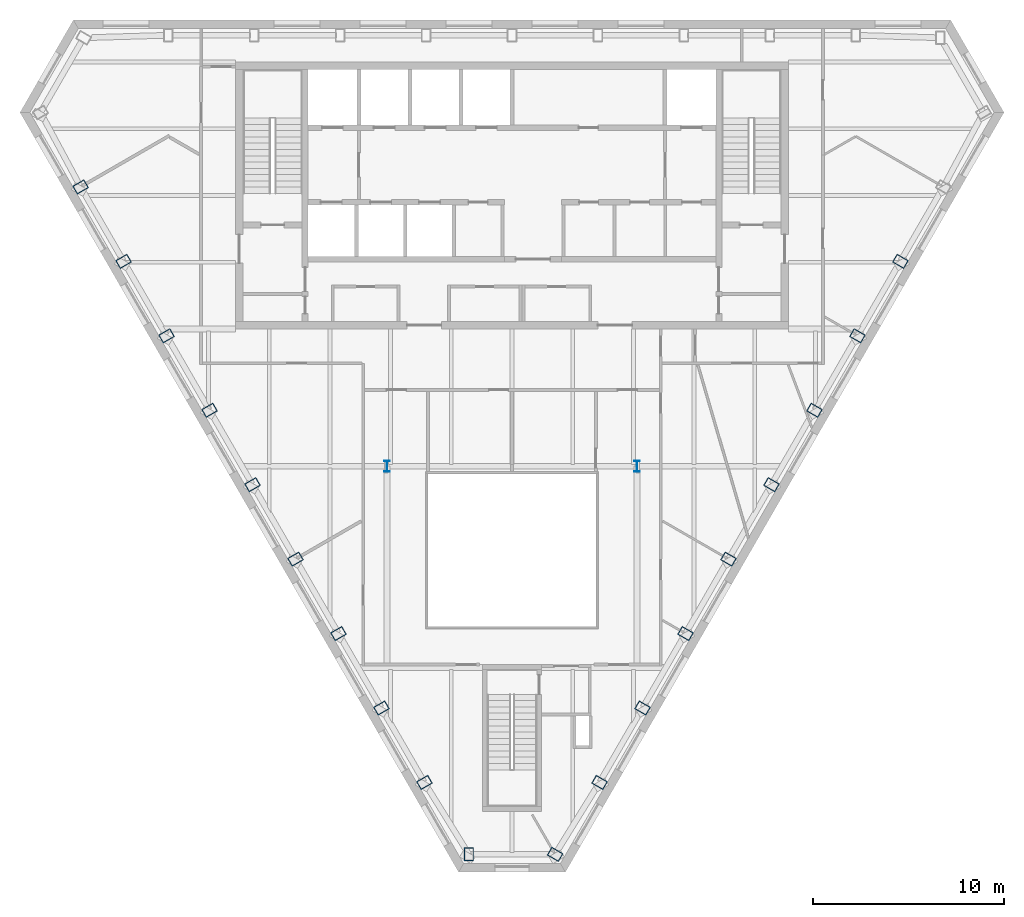
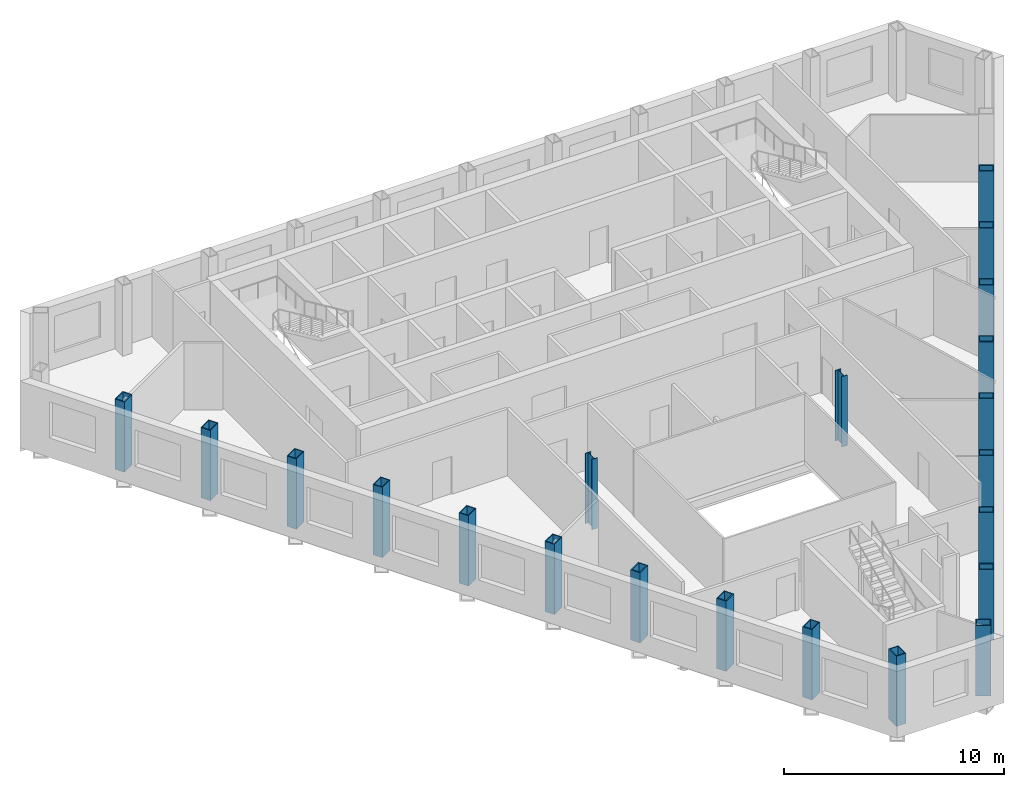
# One storey, part 1 of 10: 21 columns.
"""IFC4 building model written with IfcOpenShell, lengths in metres."""

import ifcopenshell
import ifcopenshell.guid

model = None  # the IFC model being written
_history = None  # IfcOwnerHistory: only IFC2X3 demands one
_inside = {}  # id of a spatial element -> (the spatial element, [elements in it])
_under = {}  # id of a project, library or spatial element -> (it, [spatial elements below it])
_declared = {}  # id of a project -> (the project, [libraries it declares])
_typed = {}  # id of a type object -> (the type object, [elements of that type])
_made_of = {}  # id of a material, layer set ... -> (it, [elements and type objects made of it])


def new_model(schema):
    """Start an empty IFC model of exactly this schema.

    Asked for "IFC4X3", IfcOpenShell would pick the latest addendum, in which some entities
    have other attributes; the version numbers below select the first issue.
    IFC2X3 requires an IfcOwnerHistory on every rooted entity: one is made here for all.
    """
    global model, _history
    if schema == "IFC4X3":
        model = ifcopenshell.file(schema_version=(4, 3, 0, 0))
    else:
        model = ifcopenshell.file(schema=schema)
    _inside.clear()
    _under.clear()
    _declared.clear()
    _typed.clear()
    _made_of.clear()
    _history = None
    if model.schema == "IFC2X3":
        org = make("IfcOrganization", Name="unknown")
        user = make(
            "IfcPersonAndOrganization",
            ThePerson=make("IfcPerson", FamilyName="unknown"),
            TheOrganization=org,
        )
        app = make(
            "IfcApplication",
            ApplicationDeveloper=org,
            Version="unknown",
            ApplicationFullName="unknown",
            ApplicationIdentifier="unknown",
        )
        _history = make(
            "IfcOwnerHistory",
            OwningUser=user,
            OwningApplication=app,
            ChangeAction="ADDED",
            CreationDate=0,
        )
    return model


def make(cls, **values):
    """One entity of the class cls with the attributes given. An attribute that is None is left unset."""
    return model.create_entity(
        cls, **{name: value for name, value in values.items() if value is not None}
    )


def rooted(cls, **values):
    """An entity with a GlobalId (a new one), such as an element, a storey or a relation."""
    return make(cls, GlobalId=ifcopenshell.guid.new(), OwnerHistory=_history, **values)


def si_unit(unit_type, name, prefix=None):
    """IfcSIUnit, for example si_unit("LENGTHUNIT", "METRE", prefix="MILLI")."""
    return make("IfcSIUnit", UnitType=unit_type, Prefix=prefix, Name=name)


def assignment(units):
    """IfcUnitAssignment: the units of a project."""
    return None if units is None else make("IfcUnitAssignment", Units=units)


def point(xyz):
    """IfcCartesianPoint."""
    return None if xyz is None else make("IfcCartesianPoint", Coordinates=xyz)


def direction(xyz):
    """IfcDirection."""
    return None if xyz is None else make("IfcDirection", DirectionRatios=xyz)


def frame(location, z_axis=None, x_axis=None):
    """IfcAxis2Placement3D, a coordinate frame: its origin and axes. An axis left out is left unset."""
    return make(
        "IfcAxis2Placement3D",
        Location=point(location),
        Axis=direction(z_axis),
        RefDirection=direction(x_axis),
    )


def frame_2d(location, x_axis=None):
    """IfcAxis2Placement2D, a coordinate frame in the plane: its origin and x axis."""
    return make(
        "IfcAxis2Placement2D", Location=point(location), RefDirection=direction(x_axis)
    )


def origin():
    """The frame at (0, 0, 0) with its axes left unset."""
    return frame((0.0, 0.0, 0.0))


def origin_2d():
    """The frame at (0, 0) in the plane with its x axis left unset."""
    return frame_2d((0.0, 0.0))


def place(relative_to, where):
    """IfcLocalPlacement: puts the frame where relative to a parent placement (None: the world)."""
    return make(
        "IfcLocalPlacement", PlacementRelTo=relative_to, RelativePlacement=where
    )


def context(
    kind, dimensions, precision=None, world=None, true_north=None, identifier=None
):
    """IfcGeometricRepresentationContext, for example the 3D "Model" context."""
    return make(
        "IfcGeometricRepresentationContext",
        ContextIdentifier=identifier,
        ContextType=kind,
        CoordinateSpaceDimension=dimensions,
        Precision=precision,
        WorldCoordinateSystem=world,
        TrueNorth=true_north,
    )


def subcontext(parent, identifier, kind, view, scale=None):
    """IfcGeometricRepresentationSubContext, for example "Body" below "Model"."""
    return make(
        "IfcGeometricRepresentationSubContext",
        ContextIdentifier=identifier,
        ContextType=kind,
        ParentContext=parent,
        TargetScale=scale,
        TargetView=view,
    )


def project(units=None, contexts=None):
    """IfcProject with its units and contexts."""
    return rooted(
        "IfcProject",
        Name="project",
        RepresentationContexts=contexts,
        UnitsInContext=assignment(units),
    )


def spatial(cls, under=None, at=None, **own):
    """A site, building, storey or space (cls), placed at a placement, below another one or the project."""
    s = rooted(cls, ObjectPlacement=at, **own)
    if under is not None:
        _under.setdefault(under.id(), (under, []))[1].append(s)
    return s


def profile(cls, at=None, kind="AREA", **sizes):
    """A parametric profile (cls). Its sizes go by their IFC names, for example OverallWidth=200.0."""
    return make(cls, ProfileType=kind, Position=at, **sizes)


def hollow_rectangle(**sizes):
    """IfcRectangleHollowProfileDef."""
    return profile("IfcRectangleHollowProfileDef", **sizes)


def i_section(**sizes):
    """IfcIShapeProfileDef."""
    return profile("IfcIShapeProfileDef", **sizes)


def extrude(swept, where, along, depth):
    """IfcExtrudedAreaSolid: the profile swept, set in the frame where, extruded along a direction by depth."""
    return make(
        "IfcExtrudedAreaSolid",
        SweptArea=swept,
        Position=where,
        ExtrudedDirection=direction(along),
        Depth=depth,
    )


def shape(context_of_items, identifier, shape_type, items):
    """IfcShapeRepresentation: the items that make up one representation, for example the "Body"."""
    return make(
        "IfcShapeRepresentation",
        ContextOfItems=context_of_items,
        RepresentationIdentifier=identifier,
        RepresentationType=shape_type,
        Items=items,
    )


def material(Name=None, Category=None):
    """IfcMaterial."""
    return make("IfcMaterial", Name=Name, Category=Category)


def material_profile(
    of_material, cross_section, Name=None, Category=None, Priority=None
):
    """IfcMaterialProfile: a cross section and its material."""
    return make(
        "IfcMaterialProfile",
        Name=Name,
        Material=of_material,
        Profile=cross_section,
        Priority=Priority,
        Category=Category,
    )


def profile_set(profiles, Name=None, composite=None):
    """IfcMaterialProfileSet."""
    return make(
        "IfcMaterialProfileSet",
        Name=Name,
        MaterialProfiles=profiles,
        CompositeProfile=composite,
    )


def made_of(thing, what):
    """Note that an element or type object is made of a material, layer set ...; save() writes the relation."""
    if what is not None:
        _made_of.setdefault(what.id(), (what, []))[1].append(thing)
    return thing


def type_object(cls, material=None, **own):
    """A type object (cls), such as IfcWallType, which elements share."""
    return made_of(rooted(cls, **own), material)


def element(
    cls,
    number,
    at=None,
    inside=None,
    cuts=None,
    type_object=None,
    material=None,
    context=None,
    identifier="Body",
    shape_type=None,
    held_by="IfcProductDefinitionShape",
    body=None,
    shapes=None,
    **own,
):
    """One element of the class cls, such as IfcWall. Its Tag is "e" and its number.

    at: its placement. inside: the storey or other place that contains it. cuts: it is an
    opening in that element (IfcRelVoidsElement). A single representation is given by context,
    identifier, shape_type and body (its items); several are given by shapes. held_by: the class
    of the entity that holds the representations. save() writes the other relations.
    """
    e = rooted(cls, Tag="e%d" % number, ObjectPlacement=at, **own)
    if body is not None:
        shapes = [shape(context, identifier, shape_type, body)]
    if shapes is not None:
        e.Representation = make(held_by, Representations=shapes)
    if inside is not None:
        _inside.setdefault(inside.id(), (inside, []))[1].append(e)
    if cuts is not None:
        rooted(
            "IfcRelVoidsElement", RelatingBuildingElement=cuts, RelatedOpeningElement=e
        )
    if type_object is not None:
        _typed.setdefault(type_object.id(), (type_object, []))[1].append(e)
    return made_of(e, material)


def aggregate(whole, parts):
    """IfcRelAggregates: a whole, such as a stair, and the parts it consists of."""
    return rooted("IfcRelAggregates", RelatingObject=whole, RelatedObjects=parts)


def save(model, path):
    """Write the relations noted so far, then the file.

    IfcRelAggregates (storeys below a building ...), IfcRelContainedInSpatialStructure (elements
    in a storey), IfcRelDefinesByType, IfcRelAssociatesMaterial and IfcRelDeclares: one each for
    every whole, place, type object, material and project.
    """
    for whole, parts in _under.values():
        aggregate(whole, parts)
    for where, things in _inside.values():
        rooted(
            "IfcRelContainedInSpatialStructure",
            RelatedElements=things,
            RelatingStructure=where,
        )
    for kind, things in _typed.values():
        rooted("IfcRelDefinesByType", RelatedObjects=things, RelatingType=kind)
    for what, things in _made_of.values():
        rooted("IfcRelAssociatesMaterial", RelatedObjects=things, RelatingMaterial=what)
    for by, libraries in _declared.values():
        rooted("IfcRelDeclares", RelatingContext=by, RelatedDefinitions=libraries)
    model.write(path)


model = new_model("IFC4")

# Units and contexts
model_context = context("Model", 3, precision=1e-05, world=origin(), true_north=direction((0.0, 1.0)))
body_context = subcontext(model_context, "Body", "Model", "MODEL_VIEW")
ifc_project = project(units=[si_unit("LENGTHUNIT", "METRE"), si_unit("AREAUNIT", "SQUARE_METRE"), si_unit("VOLUMEUNIT", "CUBIC_METRE"), si_unit("PLANEANGLEUNIT", "RADIAN"), si_unit("MASSUNIT", "GRAM", prefix="KILO")], contexts=[model_context])

# Site, building, storey
site_placement = place(None, origin())
site = spatial("IfcSite", under=ifc_project, at=site_placement, CompositionType="ELEMENT")
building_placement = place(site_placement, origin())
building = spatial("IfcBuilding", under=site, at=building_placement, Name="Njiva Tower", CompositionType="ELEMENT")
storey_placement = place(building_placement, frame((0.0, 0.0, 268.8)))
storey = spatial("IfcBuildingStorey", under=building, at=storey_placement, Name="L61", CompositionType="ELEMENT", Elevation=268.8)

# Columns
ifc_material = material(Name="Steel S355 J2", Category="steel")
ifc_material_profile_1 = material_profile(ifc_material, hollow_rectangle(XDim=0.5, YDim=0.7, WallThickness=0.045, at=origin_2d()), Name="BOX 700x500x45")
ifc_profile_set_1 = profile_set([ifc_material_profile_1], Name="Steel S355 J2")
column_type_1 = type_object("IfcColumnType", Name="C13 Perimeter tube column BOX 700x500x45", PredefinedType="COLUMN", material=ifc_profile_set_1)
for number, where, z_axis, x_axis, name in (
    (1, (-22.622, 11.447, 0.0), (0.0, 0.0, 1.0), (0.5, -0.866025403784, 0.0), "Perimeter tube column S20-C13"),
    (2, (-20.369, 7.543, 0.0), (0.0, 0.0, 1.0), (0.5, -0.866025403784, 0.0), "Perimeter tube column S20-C14"),
    (3, (-18.115, 3.639, 0.0), (0.0, 0.0, 1.0), (0.5, -0.866025403784, 0.0), "Perimeter tube column S20-C15"),
    (4, (-15.861, -0.265, 0.0), (0.0, 0.0, 1.0), (0.5, -0.866025403784, 0.0), "Perimeter tube column S20-C16"),
    (5, (-13.607, -4.168, 0.0), (0.0, 0.0, 1.0), (0.5, -0.866025403784, 0.0), "Perimeter tube column S20-C17"),
    (6, (-11.353, -8.072, 0.0), (0.0, 0.0, 1.0), (0.5, -0.866025403784, 0.0), "Perimeter tube column S20-C18"),
    (7, (-9.1, -11.976, 0.0), (0.0, 0.0, 1.0), (0.5, -0.866025403784, 0.0), "Perimeter tube column S20-C19"),
    (8, (-6.846, -15.879, 0.0), (0.0, 0.0, 1.0), (0.5, -0.866025403784, 0.0), "Perimeter tube column S20-C20"),
    (9, (-4.592, -19.783, 0.0), (0.0, 0.0, 1.0), (0.5, -0.866025403784, 0.0), "Perimeter tube column S20-C21"),
    (10, (-2.261, -23.554, 0.0), (0.0, 0.0, 1.0), (1.0, 0.0, 0.0), "Perimeter tube column S20-C22"),
    (11, (2.261, -23.554, 0.0), (0.0, 0.0, 1.0), (0.5, 0.866025403784, 0.0), "Perimeter tube column S20-C23"),
    (12, (4.592, -19.783, 0.0), (0.0, 0.0, 1.0), (0.5, 0.866025403784, 0.0), "Perimeter tube column S20-C24"),
    (13, (6.846, -15.879, 0.0), (0.0, 0.0, 1.0), (0.5, 0.866025403784, 0.0), "Perimeter tube column S20-C25"),
    (14, (9.1, -11.976, 0.0), (0.0, 0.0, 1.0), (0.5, 0.866025403784, 0.0), "Perimeter tube column S20-C26"),
    (15, (11.353, -8.072, 0.0), (0.0, 0.0, 1.0), (0.5, 0.866025403784, 0.0), "Perimeter tube column S20-C27"),
    (16, (13.607, -4.168, 0.0), (0.0, 0.0, 1.0), (0.5, 0.866025403784, 0.0), "Perimeter tube column S20-C28"),
    (17, (15.861, -0.265, 0.0), (0.0, 0.0, 1.0), (0.5, 0.866025403784, 0.0), "Perimeter tube column S20-C29"),
    (18, (18.115, 3.639, 0.0), (0.0, 0.0, 1.0), (0.5, 0.866025403784, 0.0), "Perimeter tube column S20-C30"),
    (19, (20.369, 7.543, 0.0), (0.0, 0.0, 1.0), (0.5, 0.866025403784, 0.0), "Perimeter tube column S20-C31"),
):
    element("IfcColumn", number, at=place(storey_placement, frame(where, z_axis=z_axis, x_axis=x_axis)), inside=storey, type_object=column_type_1, Name=name, PredefinedType="COLUMN", context=body_context, shape_type="SweptSolid", body=[
        extrude(hollow_rectangle(XDim=0.5, YDim=0.7, WallThickness=0.045, at=origin_2d()), origin(), (0.0, 0.0, 1.0), 3.9),
    ])
ifc_material_profile_2 = material_profile(ifc_material, i_section(OverallWidth=0.3, OverallDepth=0.6, WebThickness=0.0155, FlangeThickness=0.03, at=origin_2d()), Name="HEB 600")
ifc_profile_set_2 = profile_set([ifc_material_profile_2], Name="Steel S355 J2")
column_type_2 = type_object("IfcColumnType", Name="C14 Interior column HEB 600", PredefinedType="COLUMN", material=ifc_profile_set_2)
for number, where, z_axis, x_axis, name in (
    (20, (6.55, -3.2, 0.0), (0.0, 0.0, 1.0), (1.0, 0.0, 0.0), "Interior column S20-C34"),
    (21, (-6.55, -3.2, 0.0), (0.0, 0.0, 1.0), (1.0, 0.0, 0.0), "Interior column S20-C35"),
):
    element("IfcColumn", number, at=place(storey_placement, frame(where, z_axis=z_axis, x_axis=x_axis)), inside=storey, type_object=column_type_2, Name=name, PredefinedType="COLUMN", context=body_context, shape_type="SweptSolid", body=[
        extrude(i_section(OverallWidth=0.3, OverallDepth=0.6, WebThickness=0.0155, FlangeThickness=0.03, at=origin_2d()), origin(), (0.0, 0.0, 1.0), 3.9),
    ])

save(model, "model.ifc")
